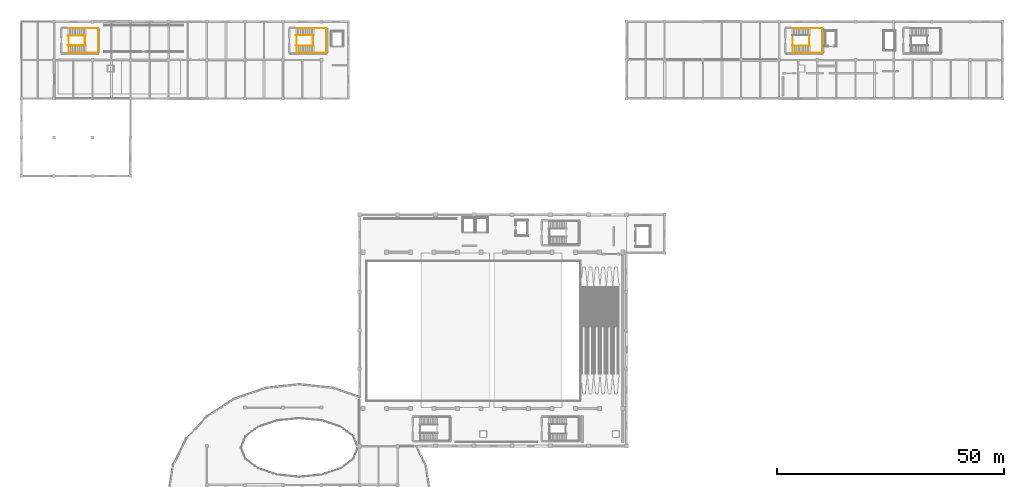
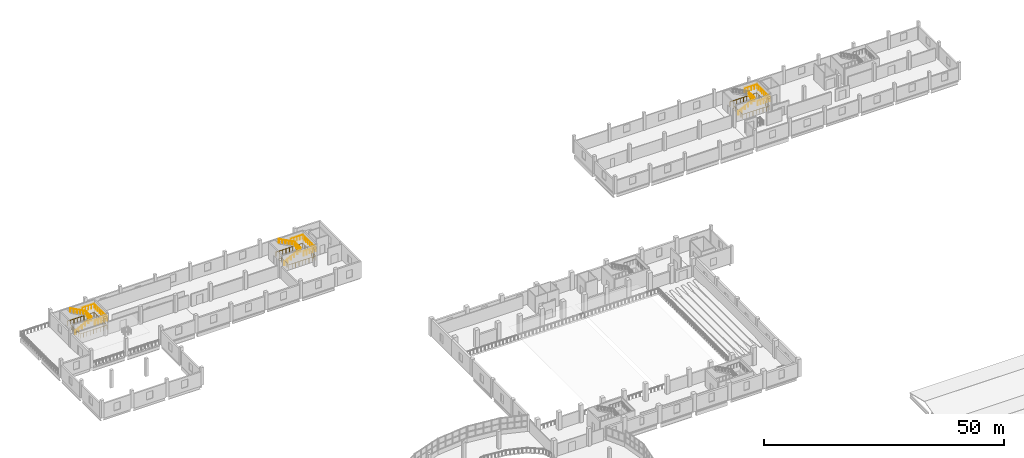
# One storey, part 49 of 50: 14 railings.
"""IFC4 building model written with IfcOpenShell, lengths in metres."""

from ifc_helpers import new_model, si_unit, direction, frame, origin, origin_2d, place, context, subcontext, project, spatial, circle, extrude, material, type_object, element, save


model = new_model("IFC4")

# Units and contexts
model_context = context("Model", 3, precision=1e-05, world=origin(), true_north=direction((0.0, 1.0)))
body_context = subcontext(model_context, "Body", "Model", "MODEL_VIEW")
ifc_project = project(units=[si_unit("LENGTHUNIT", "METRE"), si_unit("AREAUNIT", "SQUARE_METRE"), si_unit("VOLUMEUNIT", "CUBIC_METRE"), si_unit("PLANEANGLEUNIT", "RADIAN"), si_unit("MASSUNIT", "GRAM", prefix="KILO")], contexts=[model_context])

# Site, building, storey
site_placement = place(None, origin())
site = spatial("IfcSite", under=ifc_project, at=site_placement, CompositionType="ELEMENT")
building_placement = place(site_placement, origin())
building = spatial("IfcBuilding", under=site, at=building_placement, Name="Solvento Point Concert Hall", CompositionType="ELEMENT")
storey_placement = place(building_placement, frame((0.0, 0.0, 15.0)))
storey = spatial("IfcBuildingStorey", under=building, at=storey_placement, Name="L03", CompositionType="ELEMENT", Elevation=15.0)

# Railings
ifc_material_1 = material(Name="Brushed Stainless Steel Balustrade", Category="steel")
railing_type_1 = type_object("IfcRailingType", Name="StairHandrail_915", PredefinedType="HANDRAIL", material=ifc_material_1)
for number, where, name in (
    (1, (169.64990234375, 130.64990234375, 0.14990234375), "Stair handrail HR-01 ST-01 L03 F1"),
    (2, (60.449951171875, 130.64990234375, 0.14990234375), "Stair handrail HR-01 ST-04 L03 F1"),
):
    element("IfcRailing", number, at=place(storey_placement, frame(where)), inside=storey, type_object=railing_type_1, Name=name, PredefinedType="HANDRAIL", context=body_context, shape_type="SweptSolid", body=[
        extrude(circle(Radius=0.0224609375, at=origin_2d()), frame((0.0, 0.0, 0.892578125), z_axis=(0.881479153919, 0.0, 0.472222935917), x_axis=(0.0, 1.0, 0.0)), (0.0, 0.0, 1.0), 4.447265625),
        extrude(circle(Radius=0.01904296875, at=origin_2d()), origin(), (0.0, 0.0, 1.0), 0.8701171875),
        extrude(circle(Radius=0.01904296875, at=origin_2d()), frame((0.783935546875, 0.0, 0.419921875)), (0.0, 0.0, 1.0), 0.8701171875),
        extrude(circle(Radius=0.01904296875, at=origin_2d()), frame((1.568115234375, 0.0, 0.840087890625)), (0.0, 0.0, 1.0), 0.8701171875),
        extrude(circle(Radius=0.01904296875, at=origin_2d()), frame((2.35205078125, 0.0, 1.260009765625)), (0.0, 0.0, 1.0), 0.8701171875),
        extrude(circle(Radius=0.01904296875, at=origin_2d()), frame((3.13623046875, 0.0, 1.68017578125)), (0.0, 0.0, 1.0), 0.8701171875),
        extrude(circle(Radius=0.01904296875, at=origin_2d()), frame((3.920166015625, 0.0, 2.10009765625)), (0.0, 0.0, 1.0), 0.8701171875),
    ])
railing_1_placement = place(storey_placement, frame((64.3701171875, 132.949951171875, 2.39990234375)))
element("IfcRailing", 3, at=railing_1_placement, inside=storey, type_object=railing_type_1, Name="Stair handrail HR-01 ST-04 L03 F2", PredefinedType="HANDRAIL", context=body_context, shape_type="SweptSolid", body=[
    extrude(circle(Radius=0.0224609375, at=origin_2d()), frame((0.0, 0.0, 0.892578125), z_axis=(-0.881479153919, 0.0, 0.472222935917), x_axis=(0.0, -1.0, 0.0)), (0.0, 0.0, 1.0), 4.447265625),
    extrude(circle(Radius=0.01904296875, at=origin_2d()), origin(), (0.0, 0.0, 1.0), 0.8701171875),
    extrude(circle(Radius=0.01904296875, at=origin_2d()), frame((-0.783935546875, 0.0, 0.419921875)), (0.0, 0.0, 1.0), 0.8701171875),
    extrude(circle(Radius=0.01904296875, at=origin_2d()), frame((-1.568115234375, 0.0, 0.840087890625)), (0.0, 0.0, 1.0), 0.8701171875),
    extrude(circle(Radius=0.01904296875, at=origin_2d()), frame((-2.35205078125, 0.0, 1.260009765625)), (0.0, 0.0, 1.0), 0.8701171875),
    extrude(circle(Radius=0.01904296875, at=origin_2d()), frame((-3.13623046875, 0.0, 1.68017578125)), (0.0, 0.0, 1.0), 0.8701171875),
    extrude(circle(Radius=0.01904296875, at=origin_2d()), frame((-3.920166015625, 0.0, 2.10009765625)), (0.0, 0.0, 1.0), 0.8701171875),
])
railing_2_placement = place(storey_placement, frame((10.25, 130.72998046875, 0.14990234375)))
element("IfcRailing", 4, at=railing_2_placement, inside=storey, type_object=railing_type_1, Name="Stair handrail HR-01 ST-05 L03 F1", PredefinedType="HANDRAIL", context=body_context, shape_type="SweptSolid", body=[
    extrude(circle(Radius=0.0224609375, at=origin_2d()), frame((0.0, 0.0, 0.892578125), z_axis=(0.881466911329, 0.0, 0.472245787945), x_axis=(0.0, 1.0, 0.0)), (0.0, 0.0, 1.0), 4.447021484375),
    extrude(circle(Radius=0.01904296875, at=origin_2d()), origin(), (0.0, 0.0, 1.0), 0.8701171875),
    extrude(circle(Radius=0.01904296875, at=origin_2d()), frame((0.783935546875, 0.0, 0.419921875)), (0.0, 0.0, 1.0), 0.8701171875),
    extrude(circle(Radius=0.01904296875, at=origin_2d()), frame((1.56787109375, 0.0, 0.840087890625)), (0.0, 0.0, 1.0), 0.8701171875),
    extrude(circle(Radius=0.01904296875, at=origin_2d()), frame((2.35205078125, 0.0, 1.260009765625)), (0.0, 0.0, 1.0), 0.8701171875),
    extrude(circle(Radius=0.01904296875, at=origin_2d()), frame((3.135986328125, 0.0, 1.68017578125)), (0.0, 0.0, 1.0), 0.8701171875),
    extrude(circle(Radius=0.01904296875, at=origin_2d()), frame((3.919921875, 0.0, 2.10009765625)), (0.0, 0.0, 1.0), 0.8701171875),
])
railing_3_placement = place(storey_placement, frame((14.169921875, 132.8701171875, 2.39990234375)))
element("IfcRailing", 5, at=railing_3_placement, inside=storey, type_object=railing_type_1, Name="Stair handrail HR-01 ST-05 L03 F2", PredefinedType="HANDRAIL", context=body_context, shape_type="SweptSolid", body=[
    extrude(circle(Radius=0.0224609375, at=origin_2d()), frame((0.0, 0.0, 0.892578125), z_axis=(-0.881466911329, 0.0, 0.472245787945), x_axis=(0.0, -1.0, 0.0)), (0.0, 0.0, 1.0), 4.447021484375),
    extrude(circle(Radius=0.01904296875, at=origin_2d()), origin(), (0.0, 0.0, 1.0), 0.8701171875),
    extrude(circle(Radius=0.01904296875, at=origin_2d()), frame((-0.783935546875, 0.0, 0.419921875)), (0.0, 0.0, 1.0), 0.8701171875),
    extrude(circle(Radius=0.01904296875, at=origin_2d()), frame((-1.56787109375, 0.0, 0.840087890625)), (0.0, 0.0, 1.0), 0.8701171875),
    extrude(circle(Radius=0.01904296875, at=origin_2d()), frame((-2.35205078125, 0.0, 1.260009765625)), (0.0, 0.0, 1.0), 0.8701171875),
    extrude(circle(Radius=0.01904296875, at=origin_2d()), frame((-3.135986328125, 0.0, 1.68017578125)), (0.0, 0.0, 1.0), 0.8701171875),
    extrude(circle(Radius=0.01904296875, at=origin_2d()), frame((-3.919921875, 0.0, 2.10009765625)), (0.0, 0.0, 1.0), 0.8701171875),
])
ifc_material_2 = material(Name="Brushed Stainless Steel Balustrade", Category="steel")
railing_type_2 = type_object("IfcRailingType", Name="StairWellGuard_1100", PredefinedType="BALUSTRADE", material=ifc_material_2)
railing_4_placement = place(storey_placement, frame((169.820068359375, 132.89990234375, 0.0)))
element("IfcRailing", 6, at=railing_4_placement, inside=storey, type_object=railing_type_2, Name="Stairwell guard GR-02 ST-01 L03", PredefinedType="BALUSTRADE", context=body_context, shape_type="SweptSolid", body=[
    extrude(circle(Radius=0.02392578125, at=origin_2d()), frame((0.0, 0.0, 1.09619140625), z_axis=(0.0, -1.0, 0.0), x_axis=(1.0, 0.0, 0.0)), (0.0, 0.0, 1.0), 3.77978515625),
    extrude(circle(Radius=0.02392578125, at=origin_2d()), frame((0.0, -3.77978515625, 1.09619140625), z_axis=(1.0, 0.0, 0.0), x_axis=(0.0, 1.0, 0.0)), (0.0, 0.0, 1.0), 6.4599609375),
    extrude(circle(Radius=0.02392578125, at=origin_2d()), frame((6.4599609375, -3.77978515625, 1.09619140625), z_axis=(0.0, 1.0, 0.0), x_axis=(-1.0, 0.0, 0.0)), (0.0, 0.0, 1.0), 5.35986328125),
    extrude(circle(Radius=0.02392578125, at=origin_2d()), frame((6.4599609375, 1.580078125, 1.09619140625), z_axis=(-1.0, 0.0, 0.0), x_axis=(0.0, -1.0, 0.0)), (0.0, 0.0, 1.0), 6.4599609375),
    extrude(circle(Radius=0.02392578125, at=origin_2d()), frame((0.0, 1.580078125, 1.09619140625), z_axis=(0.0, 1.0, 0.0), x_axis=(-1.0, 0.0, 0.0)), (0.0, 0.0, 1.0), 0.02001953125),
    extrude(circle(Radius=0.02099609375, at=origin_2d()), origin(), (0.0, 0.0, 1.0), 1.072021484375),
    extrude(circle(Radius=0.02099609375, at=origin_2d()), frame((0.0, -0.755859375, 0.0)), (0.0, 0.0, 1.0), 1.072021484375),
    extrude(circle(Radius=0.02099609375, at=origin_2d()), frame((0.0, -1.511962890625, 0.0)), (0.0, 0.0, 1.0), 1.072021484375),
    extrude(circle(Radius=0.02099609375, at=origin_2d()), frame((0.0, -2.267822265625, 0.0)), (0.0, 0.0, 1.0), 1.072021484375),
    extrude(circle(Radius=0.02099609375, at=origin_2d()), frame((0.0, -3.02392578125, 0.0)), (0.0, 0.0, 1.0), 1.072021484375),
    extrude(circle(Radius=0.02099609375, at=origin_2d()), frame((0.0, -3.77978515625, 0.0)), (0.0, 0.0, 1.0), 1.072021484375),
    extrude(circle(Radius=0.02099609375, at=origin_2d()), frame((0.8076171875, -3.77978515625, 0.0)), (0.0, 0.0, 1.0), 1.072021484375),
    extrude(circle(Radius=0.02099609375, at=origin_2d()), frame((1.614990234375, -3.77978515625, 0.0)), (0.0, 0.0, 1.0), 1.072021484375),
    extrude(circle(Radius=0.02099609375, at=origin_2d()), frame((2.42236328125, -3.77978515625, 0.0)), (0.0, 0.0, 1.0), 1.072021484375),
    extrude(circle(Radius=0.02099609375, at=origin_2d()), frame((3.22998046875, -3.77978515625, 0.0)), (0.0, 0.0, 1.0), 1.072021484375),
    extrude(circle(Radius=0.02099609375, at=origin_2d()), frame((4.03759765625, -3.77978515625, 0.0)), (0.0, 0.0, 1.0), 1.072021484375),
    extrude(circle(Radius=0.02099609375, at=origin_2d()), frame((4.844970703125, -3.77978515625, 0.0)), (0.0, 0.0, 1.0), 1.072021484375),
    extrude(circle(Radius=0.02099609375, at=origin_2d()), frame((5.65234375, -3.77978515625, 0.0)), (0.0, 0.0, 1.0), 1.072021484375),
    extrude(circle(Radius=0.02099609375, at=origin_2d()), frame((6.4599609375, -3.77978515625, 0.0)), (0.0, 0.0, 1.0), 1.072021484375),
    extrude(circle(Radius=0.02099609375, at=origin_2d()), frame((6.4599609375, -2.886474609375, 0.0)), (0.0, 0.0, 1.0), 1.072021484375),
    extrude(circle(Radius=0.02099609375, at=origin_2d()), frame((6.4599609375, -1.9931640625, 0.0)), (0.0, 0.0, 1.0), 1.072021484375),
    extrude(circle(Radius=0.02099609375, at=origin_2d()), frame((6.4599609375, -1.099853515625, 0.0)), (0.0, 0.0, 1.0), 1.072021484375),
    extrude(circle(Radius=0.02099609375, at=origin_2d()), frame((6.4599609375, -0.20654296875, 0.0)), (0.0, 0.0, 1.0), 1.072021484375),
    extrude(circle(Radius=0.02099609375, at=origin_2d()), frame((6.4599609375, 0.686767578125, 0.0)), (0.0, 0.0, 1.0), 1.072021484375),
    extrude(circle(Radius=0.02099609375, at=origin_2d()), frame((6.4599609375, 1.580078125, 0.0)), (0.0, 0.0, 1.0), 1.072021484375),
    extrude(circle(Radius=0.02099609375, at=origin_2d()), frame((5.65234375, 1.580078125, 0.0)), (0.0, 0.0, 1.0), 1.072021484375),
    extrude(circle(Radius=0.02099609375, at=origin_2d()), frame((4.844970703125, 1.580078125, 0.0)), (0.0, 0.0, 1.0), 1.072021484375),
    extrude(circle(Radius=0.02099609375, at=origin_2d()), frame((4.03759765625, 1.580078125, 0.0)), (0.0, 0.0, 1.0), 1.072021484375),
    extrude(circle(Radius=0.02099609375, at=origin_2d()), frame((3.22998046875, 1.580078125, 0.0)), (0.0, 0.0, 1.0), 1.072021484375),
    extrude(circle(Radius=0.02099609375, at=origin_2d()), frame((2.42236328125, 1.580078125, 0.0)), (0.0, 0.0, 1.0), 1.072021484375),
    extrude(circle(Radius=0.02099609375, at=origin_2d()), frame((1.614990234375, 1.580078125, 0.0)), (0.0, 0.0, 1.0), 1.072021484375),
    extrude(circle(Radius=0.02099609375, at=origin_2d()), frame((0.8076171875, 1.580078125, 0.0)), (0.0, 0.0, 1.0), 1.072021484375),
    extrude(circle(Radius=0.02099609375, at=origin_2d()), frame((0.0, 1.580078125, 0.0)), (0.0, 0.0, 1.0), 1.072021484375),
    extrude(circle(Radius=0.02099609375, at=origin_2d()), frame((0.0, 1.60009765625, 0.0)), (0.0, 0.0, 1.0), 1.072021484375),
])
railing_5_placement = place(storey_placement, frame((173.39990234375, 129.10009765625, 2.25)))
element("IfcRailing", 7, at=railing_5_placement, inside=storey, type_object=railing_type_2, Name="Half-landing perimeter guard GR-02 ST-01 L03", PredefinedType="BALUSTRADE", context=body_context, shape_type="SweptSolid", body=[
    extrude(circle(Radius=0.02392578125, at=origin_2d()), frame((0.0, 0.0, 1.09619140625), z_axis=(0.999976175575, 0.006902773499, 0.0), x_axis=(-0.006902773499, 0.999976175575, 0.0)), (0.0, 0.0, 1.0), 2.900146484375),
    extrude(circle(Radius=0.02392578125, at=origin_2d()), frame((2.900146484375, 0.02001953125, 1.09619140625), z_axis=(0.0, 1.0, 0.0), x_axis=(-1.0, 0.0, 0.0)), (0.0, 0.0, 1.0), 5.35986328125),
    extrude(circle(Radius=0.02392578125, at=origin_2d()), frame((2.900146484375, 5.3798828125, 1.09619140625), z_axis=(-0.999976175575, 0.006902773499, 0.0), x_axis=(-0.006902773499, -0.999976175575, 0.0)), (0.0, 0.0, 1.0), 2.900146484375),
    extrude(circle(Radius=0.02099609375, at=origin_2d()), origin(), (0.0, 0.0, 1.0), 1.072021484375),
    extrude(circle(Radius=0.02099609375, at=origin_2d()), frame((0.72509765625, 0.0048828125, 0.0)), (0.0, 0.0, 1.0), 1.072021484375),
    extrude(circle(Radius=0.02099609375, at=origin_2d()), frame((1.4501953125, 0.010009765625, 0.0)), (0.0, 0.0, 1.0), 1.072021484375),
    extrude(circle(Radius=0.02099609375, at=origin_2d()), frame((2.175048828125, 0.01513671875, 0.0)), (0.0, 0.0, 1.0), 1.072021484375),
    extrude(circle(Radius=0.02099609375, at=origin_2d()), frame((2.900146484375, 0.02001953125, 0.0)), (0.0, 0.0, 1.0), 1.072021484375),
    extrude(circle(Radius=0.02099609375, at=origin_2d()), frame((2.900146484375, 0.78564453125, 0.0)), (0.0, 0.0, 1.0), 1.072021484375),
    extrude(circle(Radius=0.02099609375, at=origin_2d()), frame((2.900146484375, 1.551513671875, 0.0)), (0.0, 0.0, 1.0), 1.072021484375),
    extrude(circle(Radius=0.02099609375, at=origin_2d()), frame((2.900146484375, 2.317138671875, 0.0)), (0.0, 0.0, 1.0), 1.072021484375),
    extrude(circle(Radius=0.02099609375, at=origin_2d()), frame((2.900146484375, 3.082763671875, 0.0)), (0.0, 0.0, 1.0), 1.072021484375),
    extrude(circle(Radius=0.02099609375, at=origin_2d()), frame((2.900146484375, 3.848388671875, 0.0)), (0.0, 0.0, 1.0), 1.072021484375),
    extrude(circle(Radius=0.02099609375, at=origin_2d()), frame((2.900146484375, 4.6142578125, 0.0)), (0.0, 0.0, 1.0), 1.072021484375),
    extrude(circle(Radius=0.02099609375, at=origin_2d()), frame((2.900146484375, 5.3798828125, 0.0)), (0.0, 0.0, 1.0), 1.072021484375),
    extrude(circle(Radius=0.02099609375, at=origin_2d()), frame((2.175048828125, 5.384765625, 0.0)), (0.0, 0.0, 1.0), 1.072021484375),
    extrude(circle(Radius=0.02099609375, at=origin_2d()), frame((1.4501953125, 5.389892578125, 0.0)), (0.0, 0.0, 1.0), 1.072021484375),
    extrude(circle(Radius=0.02099609375, at=origin_2d()), frame((0.72509765625, 5.39501953125, 0.0)), (0.0, 0.0, 1.0), 1.072021484375),
    extrude(circle(Radius=0.02099609375, at=origin_2d()), frame((0.0, 5.39990234375, 0.0)), (0.0, 0.0, 1.0), 1.072021484375),
])
railing_6_placement = place(storey_placement, frame((173.39990234375, 130.699951171875, 2.25)))
element("IfcRailing", 8, at=railing_6_placement, inside=storey, type_object=railing_type_2, Name="Half-landing slot guard GR-02 ST-01 L03", PredefinedType="BALUSTRADE", context=body_context, shape_type="SweptSolid", body=[
    extrude(circle(Radius=0.02392578125, at=origin_2d()), frame((0.0, 0.0, 1.09619140625), z_axis=(0.0, 1.0, 0.0), x_axis=(-1.0, 0.0, 0.0)), (0.0, 0.0, 1.0), 2.199951171875),
    extrude(circle(Radius=0.02099609375, at=origin_2d()), origin(), (0.0, 0.0, 1.0), 1.072021484375),
    extrude(circle(Radius=0.02099609375, at=origin_2d()), frame((0.0, 0.7333984375, 0.0)), (0.0, 0.0, 1.0), 1.072021484375),
    extrude(circle(Radius=0.02099609375, at=origin_2d()), frame((0.0, 1.466552734375, 0.0)), (0.0, 0.0, 1.0), 1.072021484375),
    extrude(circle(Radius=0.02099609375, at=origin_2d()), frame((0.0, 2.199951171875, 0.0)), (0.0, 0.0, 1.0), 1.072021484375),
])
railing_7_placement = place(storey_placement, frame((60.6201171875, 132.89990234375, 0.0)))
element("IfcRailing", 9, at=railing_7_placement, inside=storey, type_object=railing_type_2, Name="Stairwell guard GR-02 ST-04 L03", PredefinedType="BALUSTRADE", context=body_context, shape_type="SweptSolid", body=[
    extrude(circle(Radius=0.02392578125, at=origin_2d()), frame((0.0, 0.0, 1.09619140625), z_axis=(0.0, -1.0, 0.0), x_axis=(1.0, 0.0, 0.0)), (0.0, 0.0, 1.0), 3.77978515625),
    extrude(circle(Radius=0.02392578125, at=origin_2d()), frame((0.0, -3.77978515625, 1.09619140625), z_axis=(1.0, 0.0, 0.0), x_axis=(0.0, 1.0, 0.0)), (0.0, 0.0, 1.0), 6.4599609375),
    extrude(circle(Radius=0.02392578125, at=origin_2d()), frame((6.4599609375, -3.77978515625, 1.09619140625), z_axis=(0.0, 1.0, 0.0), x_axis=(-1.0, 0.0, 0.0)), (0.0, 0.0, 1.0), 5.35986328125),
    extrude(circle(Radius=0.02392578125, at=origin_2d()), frame((6.4599609375, 1.580078125, 1.09619140625), z_axis=(-1.0, 0.0, 0.0), x_axis=(0.0, -1.0, 0.0)), (0.0, 0.0, 1.0), 6.4599609375),
    extrude(circle(Radius=0.02392578125, at=origin_2d()), frame((0.0, 1.580078125, 1.09619140625), z_axis=(0.0, 1.0, 0.0), x_axis=(-1.0, 0.0, 0.0)), (0.0, 0.0, 1.0), 0.02001953125),
    extrude(circle(Radius=0.02099609375, at=origin_2d()), origin(), (0.0, 0.0, 1.0), 1.072021484375),
    extrude(circle(Radius=0.02099609375, at=origin_2d()), frame((0.0, -0.755859375, 0.0)), (0.0, 0.0, 1.0), 1.072021484375),
    extrude(circle(Radius=0.02099609375, at=origin_2d()), frame((0.0, -1.511962890625, 0.0)), (0.0, 0.0, 1.0), 1.072021484375),
    extrude(circle(Radius=0.02099609375, at=origin_2d()), frame((0.0, -2.267822265625, 0.0)), (0.0, 0.0, 1.0), 1.072021484375),
    extrude(circle(Radius=0.02099609375, at=origin_2d()), frame((0.0, -3.02392578125, 0.0)), (0.0, 0.0, 1.0), 1.072021484375),
    extrude(circle(Radius=0.02099609375, at=origin_2d()), frame((0.0, -3.77978515625, 0.0)), (0.0, 0.0, 1.0), 1.072021484375),
    extrude(circle(Radius=0.02099609375, at=origin_2d()), frame((0.8076171875, -3.77978515625, 0.0)), (0.0, 0.0, 1.0), 1.072021484375),
    extrude(circle(Radius=0.02099609375, at=origin_2d()), frame((1.614990234375, -3.77978515625, 0.0)), (0.0, 0.0, 1.0), 1.072021484375),
    extrude(circle(Radius=0.02099609375, at=origin_2d()), frame((2.42236328125, -3.77978515625, 0.0)), (0.0, 0.0, 1.0), 1.072021484375),
    extrude(circle(Radius=0.02099609375, at=origin_2d()), frame((3.22998046875, -3.77978515625, 0.0)), (0.0, 0.0, 1.0), 1.072021484375),
    extrude(circle(Radius=0.02099609375, at=origin_2d()), frame((4.03759765625, -3.77978515625, 0.0)), (0.0, 0.0, 1.0), 1.072021484375),
    extrude(circle(Radius=0.02099609375, at=origin_2d()), frame((4.844970703125, -3.77978515625, 0.0)), (0.0, 0.0, 1.0), 1.072021484375),
    extrude(circle(Radius=0.02099609375, at=origin_2d()), frame((5.65234375, -3.77978515625, 0.0)), (0.0, 0.0, 1.0), 1.072021484375),
    extrude(circle(Radius=0.02099609375, at=origin_2d()), frame((6.4599609375, -3.77978515625, 0.0)), (0.0, 0.0, 1.0), 1.072021484375),
    extrude(circle(Radius=0.02099609375, at=origin_2d()), frame((6.4599609375, -2.886474609375, 0.0)), (0.0, 0.0, 1.0), 1.072021484375),
    extrude(circle(Radius=0.02099609375, at=origin_2d()), frame((6.4599609375, -1.9931640625, 0.0)), (0.0, 0.0, 1.0), 1.072021484375),
    extrude(circle(Radius=0.02099609375, at=origin_2d()), frame((6.4599609375, -1.099853515625, 0.0)), (0.0, 0.0, 1.0), 1.072021484375),
    extrude(circle(Radius=0.02099609375, at=origin_2d()), frame((6.4599609375, -0.20654296875, 0.0)), (0.0, 0.0, 1.0), 1.072021484375),
    extrude(circle(Radius=0.02099609375, at=origin_2d()), frame((6.4599609375, 0.686767578125, 0.0)), (0.0, 0.0, 1.0), 1.072021484375),
    extrude(circle(Radius=0.02099609375, at=origin_2d()), frame((6.4599609375, 1.580078125, 0.0)), (0.0, 0.0, 1.0), 1.072021484375),
    extrude(circle(Radius=0.02099609375, at=origin_2d()), frame((5.65234375, 1.580078125, 0.0)), (0.0, 0.0, 1.0), 1.072021484375),
    extrude(circle(Radius=0.02099609375, at=origin_2d()), frame((4.844970703125, 1.580078125, 0.0)), (0.0, 0.0, 1.0), 1.072021484375),
    extrude(circle(Radius=0.02099609375, at=origin_2d()), frame((4.03759765625, 1.580078125, 0.0)), (0.0, 0.0, 1.0), 1.072021484375),
    extrude(circle(Radius=0.02099609375, at=origin_2d()), frame((3.22998046875, 1.580078125, 0.0)), (0.0, 0.0, 1.0), 1.072021484375),
    extrude(circle(Radius=0.02099609375, at=origin_2d()), frame((2.42236328125, 1.580078125, 0.0)), (0.0, 0.0, 1.0), 1.072021484375),
    extrude(circle(Radius=0.02099609375, at=origin_2d()), frame((1.614990234375, 1.580078125, 0.0)), (0.0, 0.0, 1.0), 1.072021484375),
    extrude(circle(Radius=0.02099609375, at=origin_2d()), frame((0.8076171875, 1.580078125, 0.0)), (0.0, 0.0, 1.0), 1.072021484375),
    extrude(circle(Radius=0.02099609375, at=origin_2d()), frame((0.0, 1.580078125, 0.0)), (0.0, 0.0, 1.0), 1.072021484375),
    extrude(circle(Radius=0.02099609375, at=origin_2d()), frame((0.0, 1.60009765625, 0.0)), (0.0, 0.0, 1.0), 1.072021484375),
])
railing_8_placement = place(storey_placement, frame((64.199951171875, 129.10009765625, 2.25)))
element("IfcRailing", 10, at=railing_8_placement, inside=storey, type_object=railing_type_2, Name="Half-landing perimeter guard GR-02 ST-04 L03", PredefinedType="BALUSTRADE", context=body_context, shape_type="SweptSolid", body=[
    extrude(circle(Radius=0.02392578125, at=origin_2d()), frame((0.0, 0.0, 1.09619140625), z_axis=(0.999976175575, 0.006902773499, 0.0), x_axis=(-0.006902773499, 0.999976175575, 0.0)), (0.0, 0.0, 1.0), 2.900146484375),
    extrude(circle(Radius=0.02392578125, at=origin_2d()), frame((2.900146484375, 0.02001953125, 1.09619140625), z_axis=(0.0, 1.0, 0.0), x_axis=(-1.0, 0.0, 0.0)), (0.0, 0.0, 1.0), 5.35986328125),
    extrude(circle(Radius=0.02392578125, at=origin_2d()), frame((2.900146484375, 5.3798828125, 1.09619140625), z_axis=(-0.999976175575, 0.006902773499, 0.0), x_axis=(-0.006902773499, -0.999976175575, 0.0)), (0.0, 0.0, 1.0), 2.900146484375),
    extrude(circle(Radius=0.02099609375, at=origin_2d()), origin(), (0.0, 0.0, 1.0), 1.072021484375),
    extrude(circle(Radius=0.02099609375, at=origin_2d()), frame((0.72509765625, 0.0048828125, 0.0)), (0.0, 0.0, 1.0), 1.072021484375),
    extrude(circle(Radius=0.02099609375, at=origin_2d()), frame((1.4501953125, 0.010009765625, 0.0)), (0.0, 0.0, 1.0), 1.072021484375),
    extrude(circle(Radius=0.02099609375, at=origin_2d()), frame((2.175048828125, 0.01513671875, 0.0)), (0.0, 0.0, 1.0), 1.072021484375),
    extrude(circle(Radius=0.02099609375, at=origin_2d()), frame((2.900146484375, 0.02001953125, 0.0)), (0.0, 0.0, 1.0), 1.072021484375),
    extrude(circle(Radius=0.02099609375, at=origin_2d()), frame((2.900146484375, 0.78564453125, 0.0)), (0.0, 0.0, 1.0), 1.072021484375),
    extrude(circle(Radius=0.02099609375, at=origin_2d()), frame((2.900146484375, 1.551513671875, 0.0)), (0.0, 0.0, 1.0), 1.072021484375),
    extrude(circle(Radius=0.02099609375, at=origin_2d()), frame((2.900146484375, 2.317138671875, 0.0)), (0.0, 0.0, 1.0), 1.072021484375),
    extrude(circle(Radius=0.02099609375, at=origin_2d()), frame((2.900146484375, 3.082763671875, 0.0)), (0.0, 0.0, 1.0), 1.072021484375),
    extrude(circle(Radius=0.02099609375, at=origin_2d()), frame((2.900146484375, 3.848388671875, 0.0)), (0.0, 0.0, 1.0), 1.072021484375),
    extrude(circle(Radius=0.02099609375, at=origin_2d()), frame((2.900146484375, 4.6142578125, 0.0)), (0.0, 0.0, 1.0), 1.072021484375),
    extrude(circle(Radius=0.02099609375, at=origin_2d()), frame((2.900146484375, 5.3798828125, 0.0)), (0.0, 0.0, 1.0), 1.072021484375),
    extrude(circle(Radius=0.02099609375, at=origin_2d()), frame((2.175048828125, 5.384765625, 0.0)), (0.0, 0.0, 1.0), 1.072021484375),
    extrude(circle(Radius=0.02099609375, at=origin_2d()), frame((1.4501953125, 5.389892578125, 0.0)), (0.0, 0.0, 1.0), 1.072021484375),
    extrude(circle(Radius=0.02099609375, at=origin_2d()), frame((0.72509765625, 5.39501953125, 0.0)), (0.0, 0.0, 1.0), 1.072021484375),
    extrude(circle(Radius=0.02099609375, at=origin_2d()), frame((0.0, 5.39990234375, 0.0)), (0.0, 0.0, 1.0), 1.072021484375),
])
railing_9_placement = place(storey_placement, frame((64.199951171875, 130.699951171875, 2.25)))
element("IfcRailing", 11, at=railing_9_placement, inside=storey, type_object=railing_type_2, Name="Half-landing slot guard GR-02 ST-04 L03", PredefinedType="BALUSTRADE", context=body_context, shape_type="SweptSolid", body=[
    extrude(circle(Radius=0.02392578125, at=origin_2d()), frame((0.0, 0.0, 1.09619140625), z_axis=(0.0, 1.0, 0.0), x_axis=(-1.0, 0.0, 0.0)), (0.0, 0.0, 1.0), 2.199951171875),
    extrude(circle(Radius=0.02099609375, at=origin_2d()), origin(), (0.0, 0.0, 1.0), 1.072021484375),
    extrude(circle(Radius=0.02099609375, at=origin_2d()), frame((0.0, 0.7333984375, 0.0)), (0.0, 0.0, 1.0), 1.072021484375),
    extrude(circle(Radius=0.02099609375, at=origin_2d()), frame((0.0, 1.466552734375, 0.0)), (0.0, 0.0, 1.0), 1.072021484375),
    extrude(circle(Radius=0.02099609375, at=origin_2d()), frame((0.0, 2.199951171875, 0.0)), (0.0, 0.0, 1.0), 1.072021484375),
])
railing_10_placement = place(storey_placement, frame((10.419921875, 132.820068359375, 0.0)))
element("IfcRailing", 12, at=railing_10_placement, inside=storey, type_object=railing_type_2, Name="Stairwell guard GR-02 ST-05 L03", PredefinedType="BALUSTRADE", context=body_context, shape_type="SweptSolid", body=[
    extrude(circle(Radius=0.02392578125, at=origin_2d()), frame((0.0, 0.0, 1.09619140625), z_axis=(0.0, -1.0, 0.0), x_axis=(1.0, 0.0, 0.0)), (0.0, 0.0, 1.0), 3.699951171875),
    extrude(circle(Radius=0.02392578125, at=origin_2d()), frame((0.0, -3.699951171875, 1.09619140625), z_axis=(1.0, 0.0, 0.0), x_axis=(0.0, 1.0, 0.0)), (0.0, 0.0, 1.0), 6.4599609375),
    extrude(circle(Radius=0.02392578125, at=origin_2d()), frame((6.4599609375, -3.699951171875, 1.09619140625), z_axis=(0.0, 1.0, 0.0), x_axis=(-1.0, 0.0, 0.0)), (0.0, 0.0, 1.0), 5.35986328125),
    extrude(circle(Radius=0.02392578125, at=origin_2d()), frame((6.4599609375, 1.659912109375, 1.09619140625), z_axis=(-1.0, 0.0, 0.0), x_axis=(0.0, -1.0, 0.0)), (0.0, 0.0, 1.0), 6.4599609375),
    extrude(circle(Radius=0.02392578125, at=origin_2d()), frame((0.0, 1.659912109375, 1.09619140625), z_axis=(0.0, 1.0, 0.0), x_axis=(-1.0, 0.0, 0.0)), (0.0, 0.0, 1.0), 0.02001953125),
    extrude(circle(Radius=0.02099609375, at=origin_2d()), origin(), (0.0, 0.0, 1.0), 1.072021484375),
    extrude(circle(Radius=0.02099609375, at=origin_2d()), frame((0.0, -0.739990234375, 0.0)), (0.0, 0.0, 1.0), 1.072021484375),
    extrude(circle(Radius=0.02099609375, at=origin_2d()), frame((0.0, -1.47998046875, 0.0)), (0.0, 0.0, 1.0), 1.072021484375),
    extrude(circle(Radius=0.02099609375, at=origin_2d()), frame((0.0, -2.219970703125, 0.0)), (0.0, 0.0, 1.0), 1.072021484375),
    extrude(circle(Radius=0.02099609375, at=origin_2d()), frame((0.0, -2.9599609375, 0.0)), (0.0, 0.0, 1.0), 1.072021484375),
    extrude(circle(Radius=0.02099609375, at=origin_2d()), frame((0.0, -3.699951171875, 0.0)), (0.0, 0.0, 1.0), 1.072021484375),
    extrude(circle(Radius=0.02099609375, at=origin_2d()), frame((0.8076171875, -3.699951171875, 0.0)), (0.0, 0.0, 1.0), 1.072021484375),
    extrude(circle(Radius=0.02099609375, at=origin_2d()), frame((1.614990234375, -3.699951171875, 0.0)), (0.0, 0.0, 1.0), 1.072021484375),
    extrude(circle(Radius=0.02099609375, at=origin_2d()), frame((2.42236328125, -3.699951171875, 0.0)), (0.0, 0.0, 1.0), 1.072021484375),
    extrude(circle(Radius=0.02099609375, at=origin_2d()), frame((3.22998046875, -3.699951171875, 0.0)), (0.0, 0.0, 1.0), 1.072021484375),
    extrude(circle(Radius=0.02099609375, at=origin_2d()), frame((4.03759765625, -3.699951171875, 0.0)), (0.0, 0.0, 1.0), 1.072021484375),
    extrude(circle(Radius=0.02099609375, at=origin_2d()), frame((4.844970703125, -3.699951171875, 0.0)), (0.0, 0.0, 1.0), 1.072021484375),
    extrude(circle(Radius=0.02099609375, at=origin_2d()), frame((5.65234375, -3.699951171875, 0.0)), (0.0, 0.0, 1.0), 1.072021484375),
    extrude(circle(Radius=0.02099609375, at=origin_2d()), frame((6.4599609375, -3.699951171875, 0.0)), (0.0, 0.0, 1.0), 1.072021484375),
    extrude(circle(Radius=0.02099609375, at=origin_2d()), frame((6.4599609375, -2.806640625, 0.0)), (0.0, 0.0, 1.0), 1.072021484375),
    extrude(circle(Radius=0.02099609375, at=origin_2d()), frame((6.4599609375, -1.913330078125, 0.0)), (0.0, 0.0, 1.0), 1.072021484375),
    extrude(circle(Radius=0.02099609375, at=origin_2d()), frame((6.4599609375, -1.02001953125, 0.0)), (0.0, 0.0, 1.0), 1.072021484375),
    extrude(circle(Radius=0.02099609375, at=origin_2d()), frame((6.4599609375, -0.126708984375, 0.0)), (0.0, 0.0, 1.0), 1.072021484375),
    extrude(circle(Radius=0.02099609375, at=origin_2d()), frame((6.4599609375, 0.7666015625, 0.0)), (0.0, 0.0, 1.0), 1.072021484375),
    extrude(circle(Radius=0.02099609375, at=origin_2d()), frame((6.4599609375, 1.659912109375, 0.0)), (0.0, 0.0, 1.0), 1.072021484375),
    extrude(circle(Radius=0.02099609375, at=origin_2d()), frame((5.65234375, 1.659912109375, 0.0)), (0.0, 0.0, 1.0), 1.072021484375),
    extrude(circle(Radius=0.02099609375, at=origin_2d()), frame((4.844970703125, 1.659912109375, 0.0)), (0.0, 0.0, 1.0), 1.072021484375),
    extrude(circle(Radius=0.02099609375, at=origin_2d()), frame((4.03759765625, 1.659912109375, 0.0)), (0.0, 0.0, 1.0), 1.072021484375),
    extrude(circle(Radius=0.02099609375, at=origin_2d()), frame((3.22998046875, 1.659912109375, 0.0)), (0.0, 0.0, 1.0), 1.072021484375),
    extrude(circle(Radius=0.02099609375, at=origin_2d()), frame((2.42236328125, 1.659912109375, 0.0)), (0.0, 0.0, 1.0), 1.072021484375),
    extrude(circle(Radius=0.02099609375, at=origin_2d()), frame((1.614990234375, 1.659912109375, 0.0)), (0.0, 0.0, 1.0), 1.072021484375),
    extrude(circle(Radius=0.02099609375, at=origin_2d()), frame((0.8076171875, 1.659912109375, 0.0)), (0.0, 0.0, 1.0), 1.072021484375),
    extrude(circle(Radius=0.02099609375, at=origin_2d()), frame((0.0, 1.659912109375, 0.0)), (0.0, 0.0, 1.0), 1.072021484375),
    extrude(circle(Radius=0.02099609375, at=origin_2d()), frame((0.0, 1.679931640625, 0.0)), (0.0, 0.0, 1.0), 1.072021484375),
])
railing_11_placement = place(storey_placement, frame((14.0, 129.10009765625, 2.25)))
element("IfcRailing", 13, at=railing_11_placement, inside=storey, type_object=railing_type_2, Name="Half-landing perimeter guard GR-02 ST-05 L03", PredefinedType="BALUSTRADE", context=body_context, shape_type="SweptSolid", body=[
    extrude(circle(Radius=0.02392578125, at=origin_2d()), frame((0.0, 0.0, 1.09619140625), z_axis=(0.999976171564, 0.006903354611, 0.0), x_axis=(-0.006903354611, 0.999976171564, 0.0)), (0.0, 0.0, 1.0), 2.89990234375),
    extrude(circle(Radius=0.02392578125, at=origin_2d()), frame((2.89990234375, 0.02001953125, 1.09619140625), z_axis=(0.0, 1.0, 0.0), x_axis=(-1.0, 0.0, 0.0)), (0.0, 0.0, 1.0), 5.35986328125),
    extrude(circle(Radius=0.02392578125, at=origin_2d()), frame((2.89990234375, 5.3798828125, 1.09619140625), z_axis=(-0.999976171564, 0.006903354611, 0.0), x_axis=(-0.006903354611, -0.999976171564, 0.0)), (0.0, 0.0, 1.0), 2.89990234375),
    extrude(circle(Radius=0.02099609375, at=origin_2d()), origin(), (0.0, 0.0, 1.0), 1.072021484375),
    extrude(circle(Radius=0.02099609375, at=origin_2d()), frame((0.72509765625, 0.0048828125, 0.0)), (0.0, 0.0, 1.0), 1.072021484375),
    extrude(circle(Radius=0.02099609375, at=origin_2d()), frame((1.449951171875, 0.010009765625, 0.0)), (0.0, 0.0, 1.0), 1.072021484375),
    extrude(circle(Radius=0.02099609375, at=origin_2d()), frame((2.1748046875, 0.01513671875, 0.0)), (0.0, 0.0, 1.0), 1.072021484375),
    extrude(circle(Radius=0.02099609375, at=origin_2d()), frame((2.89990234375, 0.02001953125, 0.0)), (0.0, 0.0, 1.0), 1.072021484375),
    extrude(circle(Radius=0.02099609375, at=origin_2d()), frame((2.89990234375, 0.78564453125, 0.0)), (0.0, 0.0, 1.0), 1.072021484375),
    extrude(circle(Radius=0.02099609375, at=origin_2d()), frame((2.89990234375, 1.551513671875, 0.0)), (0.0, 0.0, 1.0), 1.072021484375),
    extrude(circle(Radius=0.02099609375, at=origin_2d()), frame((2.89990234375, 2.317138671875, 0.0)), (0.0, 0.0, 1.0), 1.072021484375),
    extrude(circle(Radius=0.02099609375, at=origin_2d()), frame((2.89990234375, 3.082763671875, 0.0)), (0.0, 0.0, 1.0), 1.072021484375),
    extrude(circle(Radius=0.02099609375, at=origin_2d()), frame((2.89990234375, 3.848388671875, 0.0)), (0.0, 0.0, 1.0), 1.072021484375),
    extrude(circle(Radius=0.02099609375, at=origin_2d()), frame((2.89990234375, 4.6142578125, 0.0)), (0.0, 0.0, 1.0), 1.072021484375),
    extrude(circle(Radius=0.02099609375, at=origin_2d()), frame((2.89990234375, 5.3798828125, 0.0)), (0.0, 0.0, 1.0), 1.072021484375),
    extrude(circle(Radius=0.02099609375, at=origin_2d()), frame((2.1748046875, 5.384765625, 0.0)), (0.0, 0.0, 1.0), 1.072021484375),
    extrude(circle(Radius=0.02099609375, at=origin_2d()), frame((1.449951171875, 5.389892578125, 0.0)), (0.0, 0.0, 1.0), 1.072021484375),
    extrude(circle(Radius=0.02099609375, at=origin_2d()), frame((0.72509765625, 5.39501953125, 0.0)), (0.0, 0.0, 1.0), 1.072021484375),
    extrude(circle(Radius=0.02099609375, at=origin_2d()), frame((0.0, 5.39990234375, 0.0)), (0.0, 0.0, 1.0), 1.072021484375),
])
railing_12_placement = place(storey_placement, frame((14.0, 130.780029296875, 2.25)))
element("IfcRailing", 14, at=railing_12_placement, inside=storey, type_object=railing_type_2, Name="Half-landing slot guard GR-02 ST-05 L03", PredefinedType="BALUSTRADE", context=body_context, shape_type="SweptSolid", body=[
    extrude(circle(Radius=0.02392578125, at=origin_2d()), frame((0.0, 0.0, 1.09619140625), z_axis=(0.0, 1.0, 0.0), x_axis=(-1.0, 0.0, 0.0)), (0.0, 0.0, 1.0), 2.0400390625),
    extrude(circle(Radius=0.02099609375, at=origin_2d()), origin(), (0.0, 0.0, 1.0), 1.072021484375),
    extrude(circle(Radius=0.02099609375, at=origin_2d()), frame((0.0, 0.679931640625, 0.0)), (0.0, 0.0, 1.0), 1.072021484375),
    extrude(circle(Radius=0.02099609375, at=origin_2d()), frame((0.0, 1.360107421875, 0.0)), (0.0, 0.0, 1.0), 1.072021484375),
    extrude(circle(Radius=0.02099609375, at=origin_2d()), frame((0.0, 2.0400390625, 0.0)), (0.0, 0.0, 1.0), 1.072021484375),
])

save(model, "model.ifc")
